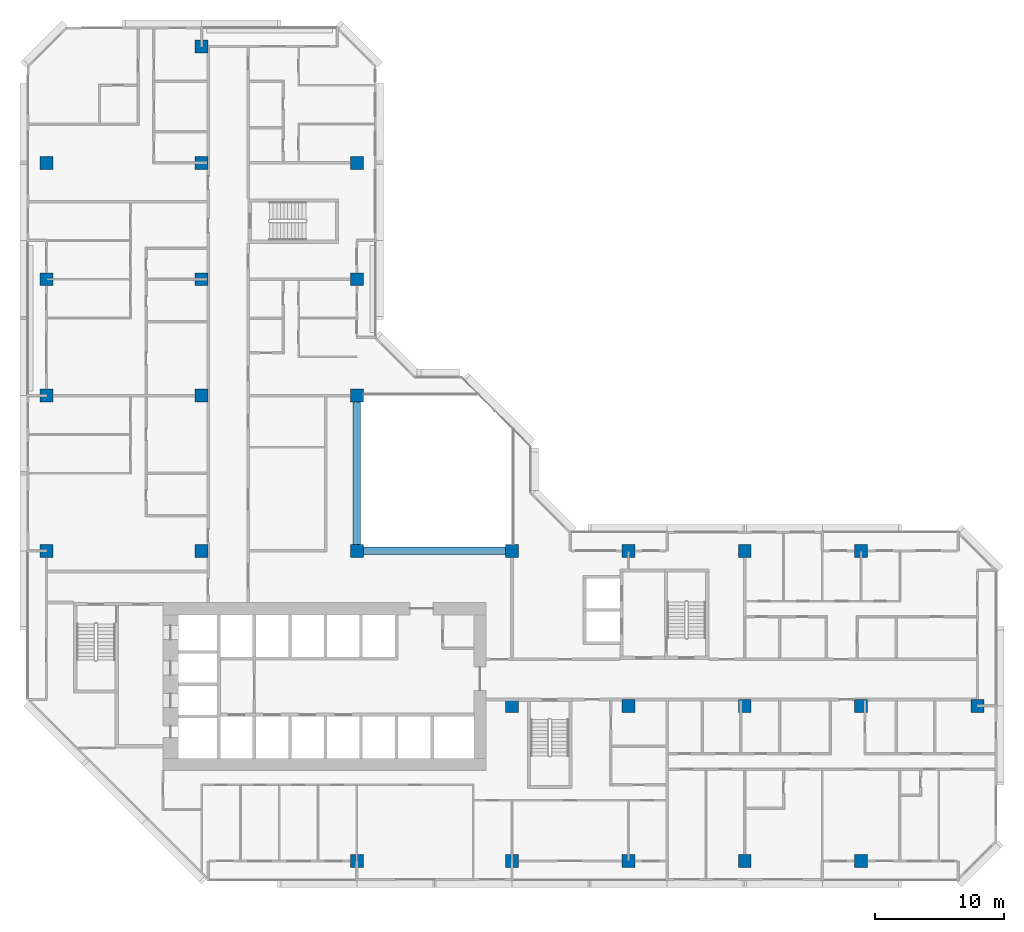
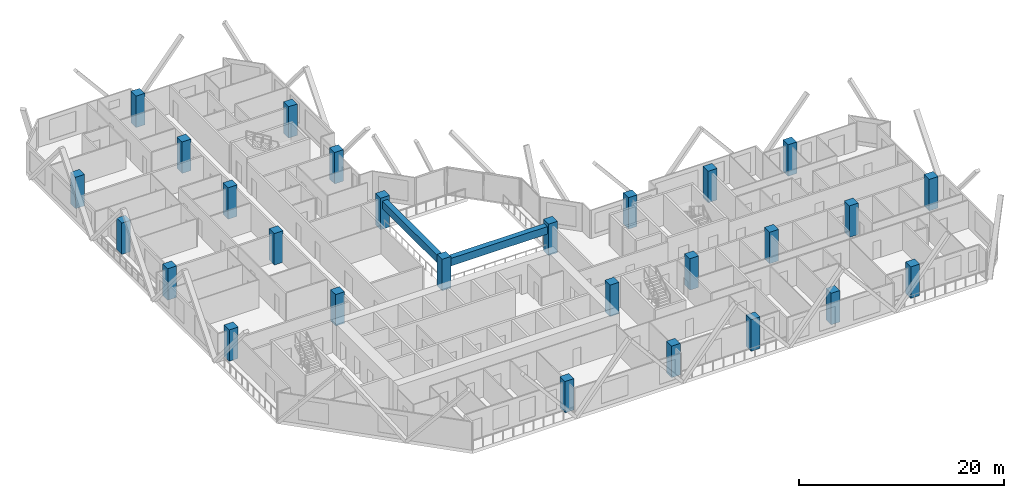
# One storey, part 1 of 15: 27 columns, 2 beams.
"""IFC4 building model written with IfcOpenShell, lengths in metres."""

from ifc_helpers import new_model, si_unit, direction, frame, origin, origin_2d, place, context, subcontext, project, spatial, rectangle, extrude, material, material_profile, profile_set, type_object, element, save


model = new_model("IFC4")

# Units and contexts
model_context = context("Model", 3, precision=1e-05, world=origin(), true_north=direction((0.0, 1.0)))
body_context = subcontext(model_context, "Body", "Model", "MODEL_VIEW")
ifc_project = project(units=[si_unit("LENGTHUNIT", "METRE"), si_unit("AREAUNIT", "SQUARE_METRE"), si_unit("VOLUMEUNIT", "CUBIC_METRE"), si_unit("PLANEANGLEUNIT", "RADIAN"), si_unit("MASSUNIT", "GRAM", prefix="KILO")], contexts=[model_context])

# Site, building, storey
site_placement = place(None, origin())
site = spatial("IfcSite", under=ifc_project, at=site_placement, CompositionType="ELEMENT")
building_placement = place(site_placement, origin())
building = spatial("IfcBuilding", under=site, at=building_placement, Name="Chenar Terraces", CompositionType="ELEMENT")
storey_placement = place(building_placement, frame((0.0, 0.0, 114.39990234375)))
storey = spatial("IfcBuildingStorey", under=building, at=storey_placement, Name="L26", CompositionType="ELEMENT", Elevation=114.39990234375)

# Columns
ifc_material_1 = material(Name="Concrete C70/85", Category="concrete")
ifc_material_profile_1 = material_profile(ifc_material_1, rectangle(XDim=1.0, YDim=1.0, at=origin_2d()), Name="C 1000 x 1000")
ifc_profile_set_1 = profile_set([ifc_material_profile_1], Name="Concrete C70/85")
column_type = type_object("IfcColumnType", Name="Column C 1000 x 1000 Concrete C70/85", PredefinedType="COLUMN", material=ifc_profile_set_1)
column_1_placement = place(storey_placement, frame((0.0, 24.0, 0.0), z_axis=(0.0, 0.0, 1.0), x_axis=(1.0, 0.0, 0.0)))
element("IfcColumn", 1, at=column_1_placement, inside=storey, type_object=column_type, Name="Column 5/G L26", PredefinedType="COLUMN", context=body_context, shape_type="SweptSolid", body=[
    extrude(rectangle(XDim=1.0, YDim=1.0, at=origin_2d()), origin(), (0.0, 0.0, 1.0), 3.75),
])
column_2_placement = place(storey_placement, frame((0.0, 36.0, 0.0), z_axis=(0.0, 0.0, 1.0), x_axis=(1.0, 0.0, 0.0)))
element("IfcColumn", 2, at=column_2_placement, inside=storey, type_object=column_type, Name="Column 5/H L26", PredefinedType="COLUMN", context=body_context, shape_type="SweptSolid", body=[
    extrude(rectangle(XDim=1.0, YDim=1.0, at=origin_2d()), origin(), (0.0, 0.0, 1.0), 3.75),
])
for number, where, z_axis, x_axis, name in (
    (3, (0.0, 45.0, 0.0), (0.0, 0.0, 1.0), (1.0, 0.0, 0.0), "Column 5/J L26"),
    (4, (0.0, 54.0, 0.0), (0.0, 0.0, 1.0), (1.0, 0.0, 0.0), "Column 5/K L26"),
    (5, (12.0, 24.0, 0.0), (0.0, 0.0, 1.0), (1.0, 0.0, 0.0), "Column 6/G L26"),
    (6, (12.0, 36.0, 0.0), (0.0, 0.0, 1.0), (1.0, 0.0, 0.0), "Column 6/H L26"),
    (7, (12.0, 45.0, 0.0), (0.0, 0.0, 1.0), (1.0, 0.0, 0.0), "Column 6/J L26"),
    (8, (12.0, 54.0, 0.0), (0.0, 0.0, 1.0), (1.0, 0.0, 0.0), "Column 6/K L26"),
    (9, (12.0, 63.0, 0.0), (0.0, 0.0, 1.0), (1.0, 0.0, 0.0), "Column 6/L L26"),
    (10, (24.0, 0.0, 0.0), (0.0, 0.0, 1.0), (1.0, 0.0, 0.0), "Column 7/E L26"),
    (11, (24.0, 24.0, 0.0), (0.0, 0.0, 1.0), (1.0, 0.0, 0.0), "Column 7/G L26"),
    (12, (24.0, 36.0, 0.0), (0.0, 0.0, 1.0), (1.0, 0.0, 0.0), "Column 7/H L26"),
    (13, (24.0, 45.0, 0.0), (0.0, 0.0, 1.0), (1.0, 0.0, 0.0), "Column 7/J L26"),
    (14, (24.0, 54.0, 0.0), (0.0, 0.0, 1.0), (1.0, 0.0, 0.0), "Column 7/K L26"),
    (15, (36.0, 0.0, 0.0), (0.0, 0.0, 1.0), (1.0, 0.0, 0.0), "Column 8/E L26"),
    (16, (36.0, 12.0, 0.0), (0.0, 0.0, 1.0), (1.0, 0.0, 0.0), "Column 8/F L26"),
    (17, (36.0, 24.0, 0.0), (0.0, 0.0, 1.0), (1.0, 0.0, 0.0), "Column 8/G L26"),
    (18, (45.0, 0.0, 0.0), (0.0, 0.0, 1.0), (1.0, 0.0, 0.0), "Column 9/E L26"),
    (19, (45.0, 12.0, 0.0), (0.0, 0.0, 1.0), (1.0, 0.0, 0.0), "Column 9/F L26"),
    (20, (45.0, 24.0, 0.0), (0.0, 0.0, 1.0), (1.0, 0.0, 0.0), "Column 9/G L26"),
    (21, (54.0, 0.0, 0.0), (0.0, 0.0, 1.0), (1.0, 0.0, 0.0), "Column 10/E L26"),
    (22, (54.0, 12.0, 0.0), (0.0, 0.0, 1.0), (1.0, 0.0, 0.0), "Column 10/F L26"),
    (23, (54.0, 24.0, 0.0), (0.0, 0.0, 1.0), (1.0, 0.0, 0.0), "Column 10/G L26"),
    (24, (63.0, 0.0, 0.0), (0.0, 0.0, 1.0), (1.0, 0.0, 0.0), "Column 11/E L26"),
    (25, (63.0, 12.0, 0.0), (0.0, 0.0, 1.0), (1.0, 0.0, 0.0), "Column 11/F L26"),
    (26, (63.0, 24.0, 0.0), (0.0, 0.0, 1.0), (1.0, 0.0, 0.0), "Column 11/G L26"),
    (27, (72.0, 12.0, 0.0), (0.0, 0.0, 1.0), (1.0, 0.0, 0.0), "Column 12/F L26"),
):
    element("IfcColumn", number, at=place(storey_placement, frame(where, z_axis=z_axis, x_axis=x_axis)), inside=storey, type_object=column_type, Name=name, PredefinedType="COLUMN", context=body_context, shape_type="SweptSolid", body=[
        extrude(rectangle(XDim=1.0, YDim=1.0, at=origin_2d()), origin(), (0.0, 0.0, 1.0), 3.75),
    ])

# Beams
ifc_material_2 = material(Name="Concrete C40/50", Category="concrete")
ifc_material_profile_2 = material_profile(ifc_material_2, rectangle(XDim=0.60009765625, YDim=0.89990234375, at=origin_2d()), Name="RC 600 x 900")
ifc_profile_set_2 = profile_set([ifc_material_profile_2], Name="Concrete C40/50")
beam_type = type_object("IfcBeamType", Name="Atrium edge beam 600 x 900 Concrete C40/50", PredefinedType="BEAM", material=ifc_profile_set_2)
for number, where, z_axis, x_axis, name in (
    (28, (24.5, 24.0, 2.900146484375), (1.0, 0.0, 0.0), (0.0, 1.0, 0.0), "Atrium edge beam L27 1"),
    (29, (24.0, 35.5, 2.900146484375), (0.0, -1.0, 0.0), (1.0, 0.0, 0.0), "Atrium edge beam L27 4"),
):
    element("IfcBeam", number, at=place(storey_placement, frame(where, z_axis=z_axis, x_axis=x_axis)), inside=storey, type_object=beam_type, Name=name, PredefinedType="BEAM", context=body_context, shape_type="SweptSolid", body=[
        extrude(rectangle(XDim=0.60009765625, YDim=0.89990234375, at=origin_2d()), origin(), (0.0, 0.0, 1.0), 11.0),
    ])

save(model, "model.ifc")
